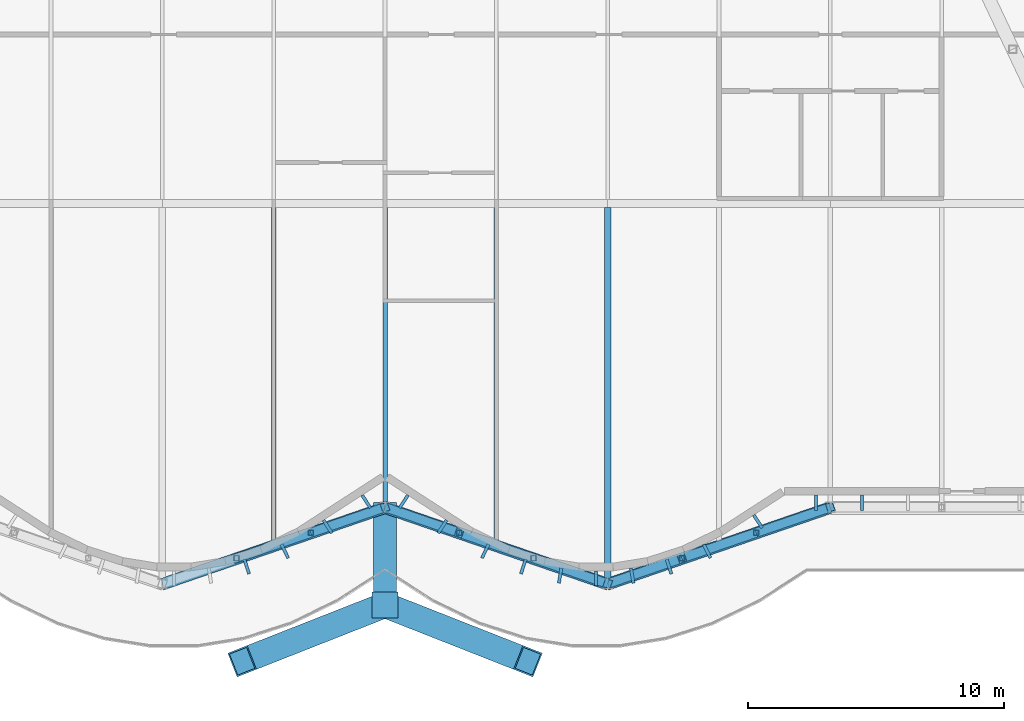
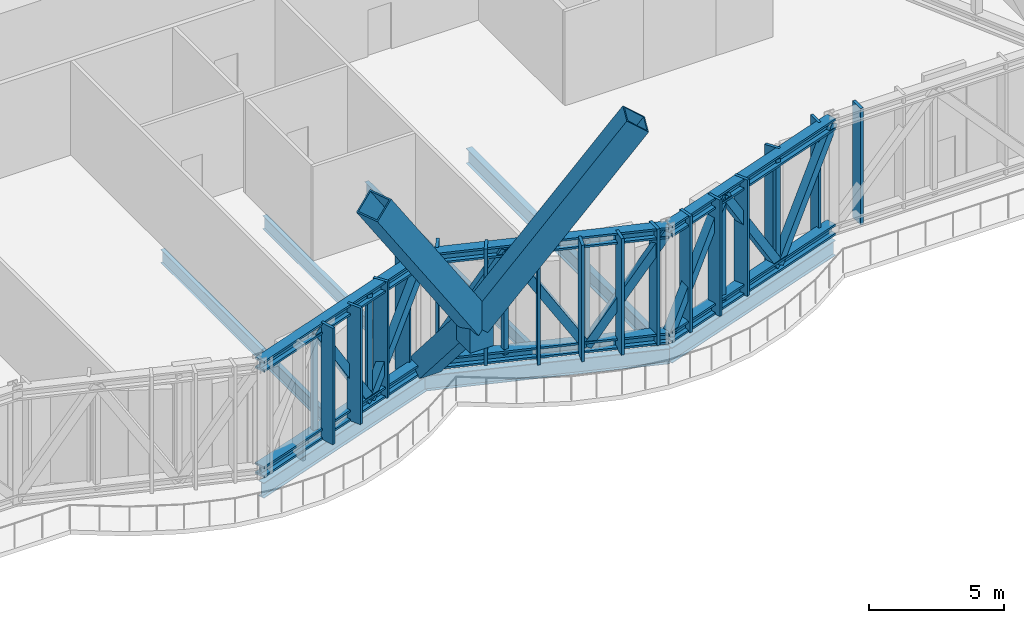
# One storey, part 10 of 32: 40 members, 7 beams, 1 element without a shape of its own.
"""IFC4 building model written with IfcOpenShell, lengths in metres."""

from ifc_helpers import new_model, si_unit, direction, frame, origin, origin_2d, place, context, subcontext, project, spatial, rectangle, hollow_rectangle, i_section, extrude, material, material_profile, profile_set, type_object, element, aggregate, save


model = new_model("IFC4")

# Units and contexts
model_context = context("Model", 3, precision=1e-05, world=origin(), true_north=direction((0.0, 1.0)))
body_context = subcontext(model_context, "Body", "Model", "MODEL_VIEW")
ifc_project = project(units=[si_unit("LENGTHUNIT", "METRE"), si_unit("AREAUNIT", "SQUARE_METRE"), si_unit("VOLUMEUNIT", "CUBIC_METRE"), si_unit("PLANEANGLEUNIT", "RADIAN"), si_unit("MASSUNIT", "GRAM", prefix="KILO")], contexts=[model_context])

# Site, building, storey
site_placement = place(None, origin())
site = spatial("IfcSite", under=ifc_project, at=site_placement, CompositionType="ELEMENT")
building_placement = place(site_placement, origin())
building = spatial("IfcBuilding", under=site, at=building_placement, Name="Bicima Exchange Tower", CompositionType="ELEMENT")
storey_placement = place(building_placement, frame((0.0, 0.0, 135.0)))
storey = spatial("IfcBuildingStorey", under=building, at=storey_placement, Name="L29", CompositionType="ELEMENT", Elevation=135.0)

# Curtain wall, members
ifc_material_1 = material(Name="Anodised bronze aluminium", Category="aluminium")
curtain_wall_type = type_object("IfcCurtainWallType", Name="Band blade screen", PredefinedType="NOTDEFINED", material=ifc_material_1)
curtain_wall_placement = place(storey_placement, origin())
curtain_wall = element("IfcCurtainWall", 1, at=curtain_wall_placement, inside=storey, type_object=curtain_wall_type, Name="Band blade screen L29", PredefinedType="NOTDEFINED")
ifc_material_profile_1 = material_profile(ifc_material_1, rectangle(XDim=0.60009765625, YDim=0.1201171875, at=origin_2d()))
ifc_profile_set_1 = profile_set([ifc_material_profile_1], Name="Anodised bronze aluminium")
member_type_1 = type_object("IfcMemberType", Name="Band blade fin 600 x 120", PredefinedType="USERDEFINED", material=ifc_profile_set_1)
member_1_placement = place(storey_placement, frame((-5.403564453125, -36.18603515625, 0.0), z_axis=(0.0, 0.0, 1.0), x_axis=(-0.307552591055, 0.951531083956, 0.0)))
member_1 = element("IfcMember", 2, at=member_1_placement, type_object=member_type_1, Name="Band blade fin 39", ObjectType="FIN", PredefinedType="USERDEFINED", context=body_context, shape_type="SweptSolid", body=[
    extrude(rectangle(XDim=0.60009765625, YDim=0.1201171875, at=origin_2d()), origin(), (0.0, 0.0, 1.0), 5.25),
])
member_2_placement = place(storey_placement, frame((-3.916259765625, -35.58251953125, 0.0), z_axis=(0.0, 0.0, 1.0), x_axis=(-0.436286748784, 0.899807686584, 0.0)))
member_2 = element("IfcMember", 3, at=member_2_placement, type_object=member_type_1, Name="Band blade fin 40", ObjectType="FIN", PredefinedType="USERDEFINED", context=body_context, shape_type="SweptSolid", body=[
    extrude(rectangle(XDim=0.60009765625, YDim=0.1201171875, at=origin_2d()), origin(), (0.0, 0.0, 1.0), 5.25),
])
member_3_placement = place(storey_placement, frame((-2.242919921875, -34.622802734375, 0.0), z_axis=(0.0, 0.0, 1.0), x_axis=(-0.542909183079, 0.839791413941, 0.0)))
member_3 = element("IfcMember", 4, at=member_3_placement, type_object=member_type_1, Name="Band blade fin 41", ObjectType="FIN", PredefinedType="USERDEFINED", context=body_context, shape_type="SweptSolid", body=[
    extrude(rectangle(XDim=0.60009765625, YDim=0.1201171875, at=origin_2d()), origin(), (0.0, 0.0, 1.0), 5.25),
])
member_4_placement = place(storey_placement, frame((-0.731201171875, -33.645751953125, 0.0), z_axis=(0.0, 0.0, 1.0), x_axis=(-0.542909183079, 0.839791413941, 0.0)))
member_4 = element("IfcMember", 5, at=member_4_placement, type_object=member_type_1, Name="Band blade fin 42", ObjectType="FIN", PredefinedType="USERDEFINED", context=body_context, shape_type="SweptSolid", body=[
    extrude(rectangle(XDim=0.60009765625, YDim=0.1201171875, at=origin_2d()), origin(), (0.0, 0.0, 1.0), 5.25),
])
member_5_placement = place(storey_placement, frame((0.731201171875, -33.645751953125, 0.0), z_axis=(0.0, 0.0, 1.0), x_axis=(0.542909183079, 0.839791413941, 0.0)))
member_5 = element("IfcMember", 6, at=member_5_placement, type_object=member_type_1, Name="Band blade fin 43", ObjectType="FIN", PredefinedType="USERDEFINED", context=body_context, shape_type="SweptSolid", body=[
    extrude(rectangle(XDim=0.60009765625, YDim=0.1201171875, at=origin_2d()), origin(), (0.0, 0.0, 1.0), 5.25),
])
member_6_placement = place(storey_placement, frame((2.242919921875, -34.622802734375, 0.0), z_axis=(0.0, 0.0, 1.0), x_axis=(0.542909183079, 0.839791413941, 0.0)))
member_6 = element("IfcMember", 7, at=member_6_placement, type_object=member_type_1, Name="Band blade fin 44", ObjectType="FIN", PredefinedType="USERDEFINED", context=body_context, shape_type="SweptSolid", body=[
    extrude(rectangle(XDim=0.60009765625, YDim=0.1201171875, at=origin_2d()), origin(), (0.0, 0.0, 1.0), 5.25),
])
member_7_placement = place(storey_placement, frame((3.916259765625, -35.58251953125, 0.0), z_axis=(0.0, 0.0, 1.0), x_axis=(0.436286748784, 0.899807686584, 0.0)))
member_7 = element("IfcMember", 8, at=member_7_placement, type_object=member_type_1, Name="Band blade fin 45", ObjectType="FIN", PredefinedType="USERDEFINED", context=body_context, shape_type="SweptSolid", body=[
    extrude(rectangle(XDim=0.60009765625, YDim=0.1201171875, at=origin_2d()), origin(), (0.0, 0.0, 1.0), 5.25),
])
member_8_placement = place(storey_placement, frame((5.403564453125, -36.18603515625, 0.0), z_axis=(0.0, 0.0, 1.0), x_axis=(0.307552591055, 0.951531083956, 0.0)))
member_8 = element("IfcMember", 9, at=member_8_placement, type_object=member_type_1, Name="Band blade fin 46", ObjectType="FIN", PredefinedType="USERDEFINED", context=body_context, shape_type="SweptSolid", body=[
    extrude(rectangle(XDim=0.60009765625, YDim=0.1201171875, at=origin_2d()), origin(), (0.0, 0.0, 1.0), 5.25),
])
member_9_placement = place(storey_placement, frame((6.84130859375, -36.53662109375, 0.0), z_axis=(0.0, 0.0, 1.0), x_axis=(0.159533156447, 0.987192570877, 0.0)))
member_9 = element("IfcMember", 10, at=member_9_placement, type_object=member_type_1, Name="Band blade fin 47", ObjectType="FIN", PredefinedType="USERDEFINED", context=body_context, shape_type="SweptSolid", body=[
    extrude(rectangle(XDim=0.60009765625, YDim=0.1201171875, at=origin_2d()), origin(), (0.0, 0.0, 1.0), 5.25),
])
member_10_placement = place(storey_placement, frame((8.25, -36.65087890625, 0.0), z_axis=(0.0, 0.0, 1.0), x_axis=(0.0, 1.0, 0.0)))
member_10 = element("IfcMember", 11, at=member_10_placement, type_object=member_type_1, Name="Band blade fin 48", ObjectType="FIN", PredefinedType="USERDEFINED", context=body_context, shape_type="SweptSolid", body=[
    extrude(rectangle(XDim=0.60009765625, YDim=0.1201171875, at=origin_2d()), origin(), (0.0, 0.0, 1.0), 5.25),
])
member_11_placement = place(storey_placement, frame((9.65869140625, -36.53662109375, 0.0), z_axis=(0.0, 0.0, 1.0), x_axis=(-0.159533156447, 0.987192570877, 0.0)))
member_11 = element("IfcMember", 12, at=member_11_placement, type_object=member_type_1, Name="Band blade fin 49", ObjectType="FIN", PredefinedType="USERDEFINED", context=body_context, shape_type="SweptSolid", body=[
    extrude(rectangle(XDim=0.60009765625, YDim=0.1201171875, at=origin_2d()), origin(), (0.0, 0.0, 1.0), 5.25),
])
member_12_placement = place(storey_placement, frame((11.096435546875, -36.18603515625, 0.0), z_axis=(0.0, 0.0, 1.0), x_axis=(-0.307552591055, 0.951531083956, 0.0)))
member_12 = element("IfcMember", 13, at=member_12_placement, type_object=member_type_1, Name="Band blade fin 50", ObjectType="FIN", PredefinedType="USERDEFINED", context=body_context, shape_type="SweptSolid", body=[
    extrude(rectangle(XDim=0.60009765625, YDim=0.1201171875, at=origin_2d()), origin(), (0.0, 0.0, 1.0), 5.25),
])
member_13_placement = place(storey_placement, frame((12.583740234375, -35.58251953125, 0.0), z_axis=(0.0, 0.0, 1.0), x_axis=(-0.436286748784, 0.899807686584, 0.0)))
member_13 = element("IfcMember", 14, at=member_13_placement, type_object=member_type_1, Name="Band blade fin 51", ObjectType="FIN", PredefinedType="USERDEFINED", context=body_context, shape_type="SweptSolid", body=[
    extrude(rectangle(XDim=0.60009765625, YDim=0.1201171875, at=origin_2d()), origin(), (0.0, 0.0, 1.0), 5.25),
])
member_14_placement = place(storey_placement, frame((14.5703125, -34.42041015625, 0.0), z_axis=(0.0, 0.0, 1.0), x_axis=(-0.542916511621, 0.839786676132, 0.0)))
member_14 = element("IfcMember", 15, at=member_14_placement, type_object=member_type_1, Name="Band blade fin 52", ObjectType="FIN", PredefinedType="USERDEFINED", context=body_context, shape_type="SweptSolid", body=[
    extrude(rectangle(XDim=0.60009765625, YDim=0.1201171875, at=origin_2d()), origin(), (0.0, 0.0, 1.0), 5.25),
])
member_15_placement = place(storey_placement, frame((16.832275390625, -33.68798828125, 0.0), z_axis=(0.0, 0.0, 1.0), x_axis=(0.0, 1.0, 0.0)))
member_15 = element("IfcMember", 16, at=member_15_placement, type_object=member_type_1, Name="Band blade fin 53", ObjectType="FIN", PredefinedType="USERDEFINED", context=body_context, shape_type="SweptSolid", body=[
    extrude(rectangle(XDim=0.60009765625, YDim=0.1201171875, at=origin_2d()), origin(), (0.0, 0.0, 1.0), 5.25),
])
member_16_placement = place(storey_placement, frame((18.63232421875, -33.68798828125, 0.0), z_axis=(0.0, 0.0, 1.0), x_axis=(0.0, 1.0, 0.0)))
member_16 = element("IfcMember", 17, at=member_16_placement, type_object=member_type_1, Name="Band blade fin 54", ObjectType="FIN", PredefinedType="USERDEFINED", context=body_context, shape_type="SweptSolid", body=[
    extrude(rectangle(XDim=0.60009765625, YDim=0.1201171875, at=origin_2d()), origin(), (0.0, 0.0, 1.0), 5.25),
])
aggregate(curtain_wall, [member_1, member_2, member_3, member_4, member_5, member_6, member_7, member_8, member_9, member_10, member_11, member_12, member_13, member_14, member_15, member_16])

# Members
ifc_material_2 = material(Name="Steel ASTM A992 Gr 50", Category="steel")
ifc_material_profile_2 = material_profile(ifc_material_2, i_section(OverallWidth=0.431884765625, OverallDepth=0.497802734375, WebThickness=0.0556640625, FlangeThickness=0.0888671875, at=origin_2d()))
ifc_profile_set_2 = profile_set([ifc_material_profile_2], Name="Steel ASTM A992 Gr 50")
member_type_2 = type_object("IfcMemberType", Name="Belt truss chord W14x500", PredefinedType="CHORD", material=ifc_profile_set_2)
for number, where, z_axis, x_axis, name in (
    (18, (-8.699951171875, -36.857177734375, 5.001220703125), (0.945666456746, 0.325138359143, 0.0), (-0.325138359143, 0.945666456746, 0.0), "Top chord"),
    (19, (-8.699951171875, -36.857177734375, 0.248779296875), (0.945666456746, 0.325138359143, 0.0), (-0.325138359143, 0.945666456746, 0.0), "Bottom chord"),
    (20, (0.0, -33.865966796875, 5.001220703125), (0.945666456746, -0.325138359143, 0.0), (0.325138359143, 0.945666456746, 0.0), "Top chord"),
    (21, (0.0, -33.865966796875, 0.248779296875), (0.945666456746, -0.325138359143, 0.0), (0.325138359143, 0.945666456746, 0.0), "Bottom chord"),
    (22, (8.699951171875, -36.857177734375, 5.001220703125), (0.945666456746, 0.325138359143, 0.0), (-0.325138359143, 0.945666456746, 0.0), "Top chord"),
    (23, (8.699951171875, -36.857177734375, 0.248779296875), (0.945666456746, 0.325138359143, 0.0), (-0.325138359143, 0.945666456746, 0.0), "Bottom chord"),
):
    element("IfcMember", number, at=place(storey_placement, frame(where, z_axis=z_axis, x_axis=x_axis)), inside=storey, type_object=member_type_2, Name=name, PredefinedType="CHORD", context=body_context, shape_type="SweptSolid", body=[
        extrude(i_section(OverallWidth=0.431884765625, OverallDepth=0.497802734375, WebThickness=0.0556640625, FlangeThickness=0.0888671875, at=origin_2d()), origin(), (0.0, 0.0, 1.0), 9.19970703125),
    ])
ifc_material_3 = material(Name="Steel ASTM A572 Gr 50", Category="steel")
ifc_material_profile_3 = material_profile(ifc_material_3, hollow_rectangle(XDim=0.355712890625, YDim=0.355712890625, WallThickness=0.0146484375, at=origin_2d()))
ifc_profile_set_3 = profile_set([ifc_material_profile_3], Name="Steel ASTM A572 Gr 50")
member_type_3 = type_object("IfcMemberType", Name="Belt truss diagonal HSS14x14x5/8", PredefinedType="STRUT", material=ifc_profile_set_3)
for number, where, z_axis, x_axis, name in (
    (24, (-5.800048828125, -35.860107421875, 5.001220703125), (0.512752840949, 0.176284418085, -0.840243017251), (-0.325122040768, 0.94567206716, 0.0), "Truss diagonal"),
    (25, (-2.89990234375, -34.863037109375, 0.248779296875), (0.5127210239, 0.176288319718, 0.840261614012), (-0.325146518908, 0.945663651222, 0.0), "Truss diagonal"),
    (26, (0.0, -33.865966796875, 0.248779296875), (0.5127210239, -0.176288319718, 0.840261614012), (0.325146518908, 0.945663651222, 0.0), "Truss diagonal"),
    (27, (2.89990234375, -34.863037109375, 5.001220703125), (0.512752840949, -0.176284418085, -0.840243017251), (0.325122040768, 0.94567206716, 0.0), "Truss diagonal"),
    (28, (5.800048828125, -35.860107421875, 0.248779296875), (0.5127210239, -0.176288319718, 0.840261614012), (0.325146518908, 0.945663651222, 0.0), "Truss diagonal"),
    (29, (8.699951171875, -36.857177734375, 0.248779296875), (0.512752840949, 0.176284418085, 0.840243017251), (-0.325122040768, 0.94567206716, 0.0), "Truss diagonal"),
    (30, (11.60009765625, -35.860107421875, 5.001220703125), (0.5127210239, 0.176288319718, -0.840261614012), (-0.325146518908, 0.945663651222, 0.0), "Truss diagonal"),
    (31, (14.5, -34.863037109375, 0.248779296875), (0.5127210239, 0.176288319718, 0.840261614012), (-0.325146518908, 0.945663651222, 0.0), "Truss diagonal"),
):
    element("IfcMember", number, at=place(storey_placement, frame(where, z_axis=z_axis, x_axis=x_axis)), inside=storey, type_object=member_type_3, Name=name, PredefinedType="STRUT", context=body_context, shape_type="SweptSolid", body=[
        extrude(hollow_rectangle(XDim=0.355712890625, YDim=0.355712890625, WallThickness=0.0146484375, at=origin_2d()), origin(), (0.0, 0.0, 1.0), 5.656005859375),
    ])
ifc_material_profile_4 = material_profile(ifc_material_3, hollow_rectangle(XDim=0.203125, YDim=0.203125, WallThickness=0.01171875, at=origin_2d()))
ifc_profile_set_4 = profile_set([ifc_material_profile_4], Name="Steel ASTM A572 Gr 50")
member_type_4 = type_object("IfcMemberType", Name="Belt truss post HSS8x8x1/2", PredefinedType="POST", material=ifc_profile_set_4)
for number, where, z_axis, x_axis, name in (
    (32, (-5.800048828125, -35.860107421875, 0.248779296875), (0.0, 0.0, 1.0), (1.0, 0.0, 0.0), "Truss post"),
    (33, (-2.89990234375, -34.863037109375, 0.248779296875), (0.0, 0.0, 1.0), (1.0, 0.0, 0.0), "Truss post"),
    (34, (2.89990234375, -34.863037109375, 0.248779296875), (0.0, 0.0, 1.0), (1.0, 0.0, 0.0), "Truss post"),
    (35, (5.800048828125, -35.860107421875, 0.248779296875), (0.0, 0.0, 1.0), (1.0, 0.0, 0.0), "Truss post"),
    (36, (11.60009765625, -35.860107421875, 0.248779296875), (0.0, 0.0, 1.0), (1.0, 0.0, 0.0), "Truss post"),
    (37, (14.5, -34.863037109375, 0.248779296875), (0.0, 0.0, 1.0), (1.0, 0.0, 0.0), "Truss post"),
):
    element("IfcMember", number, at=place(storey_placement, frame(where, z_axis=z_axis, x_axis=x_axis)), inside=storey, type_object=member_type_4, Name=name, PredefinedType="POST", context=body_context, shape_type="SweptSolid", body=[
        extrude(hollow_rectangle(XDim=0.203125, YDim=0.203125, WallThickness=0.01171875, at=origin_2d()), origin(), (0.0, 0.0, 1.0), 4.75244140625),
    ])
ifc_material_profile_5 = material_profile(ifc_material_3, hollow_rectangle(XDim=1.0, YDim=1.0, WallThickness=0.06005859375, at=origin_2d()))
ifc_profile_set_5 = profile_set([ifc_material_profile_5], Name="Steel ASTM A572 Gr 50")
member_type_5 = type_object("IfcMemberType", Name="Exo mega brace BOX 1000x1000x60", PredefinedType="BRACE", material=ifc_profile_set_5)
for number, where, z_axis, x_axis, name in (
    (38, (0.0, -37.684814453125, 4.5), (0.540137902224, -0.212687122722, 0.814257474273), (0.366383630861, 0.93046388164, 0.0), "Exo mega brace front"),
    (39, (0.0, -37.684814453125, 4.5), (-0.540137902224, -0.212687122722, 0.814257474273), (0.366383630861, -0.93046388164, 0.0), "Exo mega brace front"),
):
    element("IfcMember", number, at=place(storey_placement, frame(where, z_axis=z_axis, x_axis=x_axis)), inside=storey, type_object=member_type_5, Name=name, PredefinedType="BRACE", context=body_context, shape_type="SweptSolid", body=[
        extrude(hollow_rectangle(XDim=1.0, YDim=1.0, WallThickness=0.06005859375, at=origin_2d()), origin(), (0.0, 0.0, 1.0), 10.336669921875),
    ])
ifc_material_4 = material(Name="Cast steel ASTM A216 Gr WCB", Category="steel")
ifc_material_profile_6 = material_profile(ifc_material_4, rectangle(XDim=1.0, YDim=1.0, at=origin_2d()))
ifc_profile_set_6 = profile_set([ifc_material_profile_6], Name="Cast steel ASTM A216 Gr WCB")
member_type_6 = type_object("IfcMemberType", Name="Exo node block", PredefinedType="POST", material=ifc_profile_set_6)
member_17_placement = place(storey_placement, frame((0.0, -37.684814453125, 3.449951171875), z_axis=(0.0, 0.0, 1.0), x_axis=(1.0, 0.0, 0.0)))
element("IfcMember", 40, at=member_17_placement, inside=storey, type_object=member_type_6, Name="Exo node block", PredefinedType="POST", context=body_context, shape_type="SweptSolid", body=[
    extrude(rectangle(XDim=1.0, YDim=1.0, at=origin_2d()), origin(), (0.0, 0.0, 1.0), 1.800048828125),
])
ifc_material_profile_7 = material_profile(ifc_material_3, hollow_rectangle(XDim=0.89990234375, YDim=0.89990234375, WallThickness=0.050048828125, at=origin_2d()))
ifc_profile_set_7 = profile_set([ifc_material_profile_7], Name="Steel ASTM A572 Gr 50")
member_type_7 = type_object("IfcMemberType", Name="Exo outrigger stub BOX 900x900x50", PredefinedType="STRUT", material=ifc_profile_set_7)
member_18_placement = place(storey_placement, frame((0.0, -34.01611328125, 0.248779296875), z_axis=(0.0, -0.653333439324, 0.757070285417), x_axis=(1.0, 0.0, 0.0)))
element("IfcMember", 41, at=member_18_placement, inside=storey, type_object=member_type_7, Name="Exo outrigger stub", PredefinedType="STRUT", context=body_context, shape_type="SweptSolid", body=[
    extrude(hollow_rectangle(XDim=0.89990234375, YDim=0.89990234375, WallThickness=0.050048828125, at=origin_2d()), origin(), (0.0, 0.0, 1.0), 5.615478515625),
])

# Beams
ifc_material_profile_8 = material_profile(ifc_material_2, i_section(OverallWidth=0.177978515625, OverallDepth=0.599365234375, WebThickness=0.010009765625, FlangeThickness=0.012939453125, at=origin_2d()))
ifc_profile_set_8 = profile_set([ifc_material_profile_8], Name="Steel ASTM A992 Gr 50")
beam_type_1 = type_object("IfcBeamType", Name="Floor beam W24x55", PredefinedType="JOIST", material=ifc_profile_set_8)
beam_1_placement = place(storey_placement, frame((-4.35009765625, -22.16259765625, -0.499755859375), z_axis=(0.0, -1.0, 0.0), x_axis=(1.0, 0.0, 0.0)))
element("IfcBeam", 42, at=beam_1_placement, inside=storey, type_object=beam_type_1, Name="Floor beam", PredefinedType="JOIST", context=body_context, shape_type="SweptSolid", body=[
    extrude(i_section(OverallWidth=0.177978515625, OverallDepth=0.599365234375, WebThickness=0.010009765625, FlangeThickness=0.012939453125, at=origin_2d()), origin(), (0.0, 0.0, 1.0), 13.185302734375),
])
beam_2_placement = place(storey_placement, frame((0.0, -22.16259765625, -0.499755859375), z_axis=(0.0, -1.0, 0.0), x_axis=(1.0, 0.0, 0.0)))
element("IfcBeam", 43, at=beam_2_placement, inside=storey, type_object=beam_type_1, Name="Floor beam", PredefinedType="JOIST", context=body_context, shape_type="SweptSolid", body=[
    extrude(i_section(OverallWidth=0.177978515625, OverallDepth=0.599365234375, WebThickness=0.010009765625, FlangeThickness=0.012939453125, at=origin_2d()), origin(), (0.0, 0.0, 1.0), 11.825439453125),
])
beam_3_placement = place(storey_placement, frame((4.35009765625, -22.16259765625, -0.499755859375), z_axis=(0.0, -1.0, 0.0), x_axis=(1.0, 0.0, 0.0)))
element("IfcBeam", 44, at=beam_3_placement, inside=storey, type_object=beam_type_1, Name="Floor beam", PredefinedType="JOIST", context=body_context, shape_type="SweptSolid", body=[
    extrude(i_section(OverallWidth=0.177978515625, OverallDepth=0.599365234375, WebThickness=0.010009765625, FlangeThickness=0.012939453125, at=origin_2d()), origin(), (0.0, 0.0, 1.0), 13.185302734375),
])
ifc_material_profile_9 = material_profile(ifc_material_2, i_section(OverallWidth=0.25390625, OverallDepth=0.67822265625, WebThickness=0.01171875, FlangeThickness=0.016357421875, at=origin_2d()))
ifc_profile_set_9 = profile_set([ifc_material_profile_9], Name="Steel ASTM A992 Gr 50")
beam_type_2 = type_object("IfcBeamType", Name="Floor beam W27x84", PredefinedType="JOIST", material=ifc_profile_set_9)
beam_4_placement = place(storey_placement, frame((8.699951171875, -22.16259765625, -0.5390625), z_axis=(0.0, -1.0, 0.0), x_axis=(1.0, 0.0, 0.0)))
element("IfcBeam", 45, at=beam_4_placement, inside=storey, type_object=beam_type_2, Name="Floor beam", PredefinedType="JOIST", context=body_context, shape_type="SweptSolid", body=[
    extrude(i_section(OverallWidth=0.25390625, OverallDepth=0.67822265625, WebThickness=0.01171875, FlangeThickness=0.016357421875, at=origin_2d()), origin(), (0.0, 0.0, 1.0), 14.680908203125),
])
ifc_material_profile_10 = material_profile(ifc_material_2, i_section(OverallWidth=0.256591796875, OverallDepth=0.693359375, WebThickness=0.014404296875, FlangeThickness=0.023681640625, at=origin_2d()))
ifc_profile_set_10 = profile_set([ifc_material_profile_10], Name="Steel ASTM A992 Gr 50")
beam_type_3 = type_object("IfcBeamType", Name="Front girder W27x114", PredefinedType="BEAM", material=ifc_profile_set_10)
for number, where, z_axis, x_axis, name in (
    (46, (-8.699951171875, -36.97900390625, -0.546630859375), (0.945674616091, 0.32511462668, 0.0), (-0.32511462668, 0.945674616091, 0.0), "Front girder"),
    (47, (0.0, -33.988037109375, -0.546630859375), (0.945674616091, -0.32511462668, 0.0), (0.32511462668, 0.945674616091, 0.0), "Front girder"),
    (48, (8.699951171875, -36.97900390625, -0.546630859375), (0.945674616091, 0.32511462668, 0.0), (-0.32511462668, 0.945674616091, 0.0), "Front girder"),
):
    element("IfcBeam", number, at=place(storey_placement, frame(where, z_axis=z_axis, x_axis=x_axis)), inside=storey, type_object=beam_type_3, Name=name, PredefinedType="BEAM", context=body_context, shape_type="SweptSolid", body=[
        extrude(i_section(OverallWidth=0.256591796875, OverallDepth=0.693359375, WebThickness=0.014404296875, FlangeThickness=0.023681640625, at=origin_2d()), origin(), (0.0, 0.0, 1.0), 9.19970703125),
    ])

save(model, "model.ifc")
